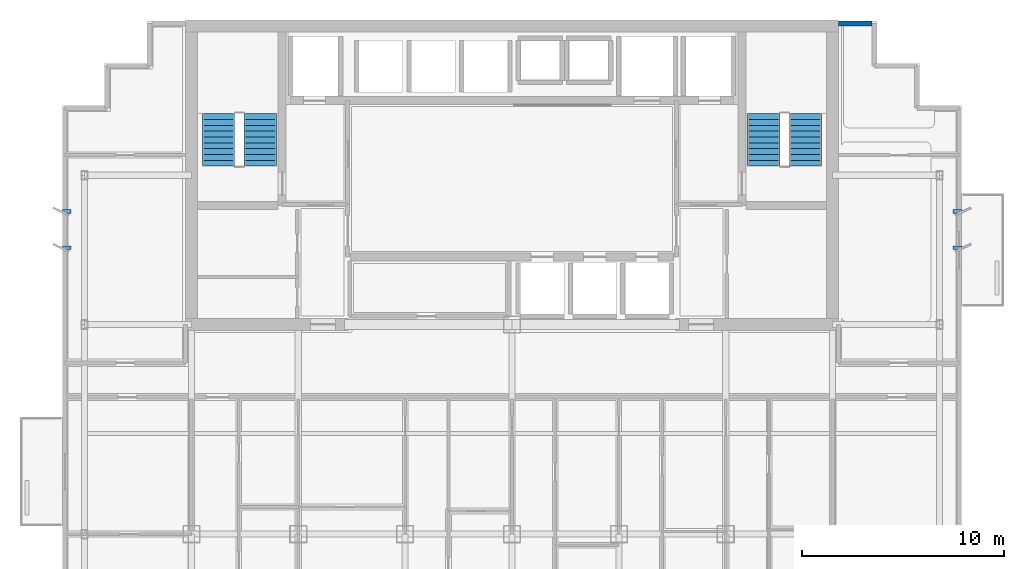
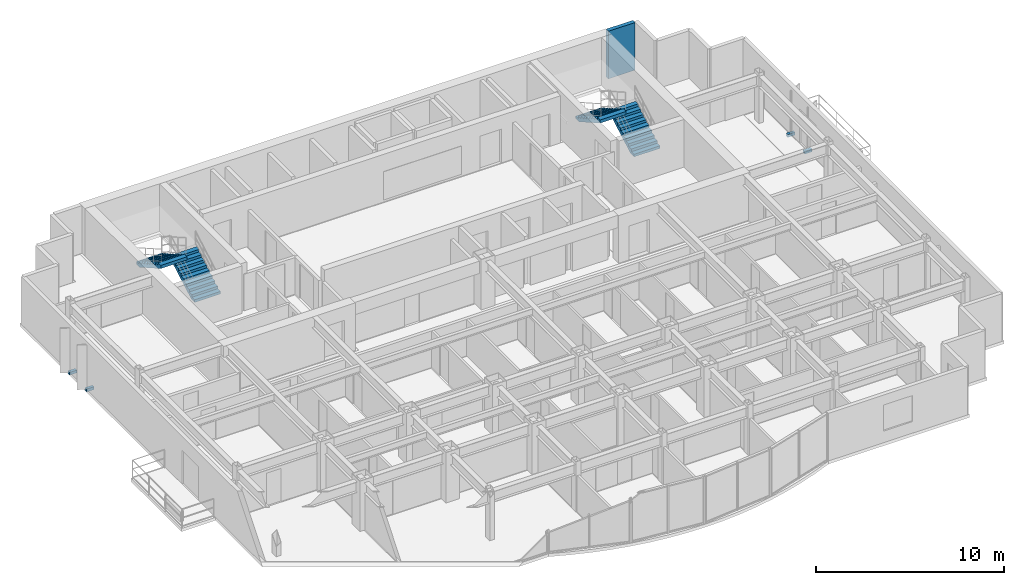
# One storey, part 9 of 11: 4 discrete accessories, 4 stair flights, 1 wall, 2 elements without a shape of their own.
"""IFC4 building model written with IfcOpenShell, lengths in metres."""

from ifc_helpers import new_model, si_unit, direction, frame, frame_2d, origin, origin_2d, place, context, subcontext, project, spatial, polyline, rectangle, outline, extrude, source, transform, mapped, material, layer, layer_set, type_object, element, aggregate, save


model = new_model("IFC4")

# Units and contexts
model_context = context("Model", 3, precision=1e-05, world=origin(), true_north=direction((0.0, 1.0)))
body_context = subcontext(model_context, "Body", "Model", "MODEL_VIEW")
ifc_project = project(units=[si_unit("LENGTHUNIT", "METRE"), si_unit("AREAUNIT", "SQUARE_METRE"), si_unit("VOLUMEUNIT", "CUBIC_METRE"), si_unit("PLANEANGLEUNIT", "RADIAN"), si_unit("MASSUNIT", "GRAM", prefix="KILO")], contexts=[model_context])

# Site, building, storey
site_placement = place(None, origin())
site = spatial("IfcSite", under=ifc_project, at=site_placement, CompositionType="ELEMENT")
building_placement = place(site_placement, origin())
building = spatial("IfcBuilding", under=site, at=building_placement, Name="Qianlan Lanfeng Residences", CompositionType="ELEMENT")
storey_placement = place(building_placement, frame((0.0, 0.0, 172.199951171875)))
storey = spatial("IfcBuildingStorey", under=building, at=storey_placement, Name="L47", CompositionType="ELEMENT", Elevation=172.199951171875)

# Wall
ifc_material_1 = material(Name="Concrete C42", Category="concrete")
ifc_layer = layer(ifc_material_1, 0.239990234375)
ifc_layer_set = layer_set([ifc_layer], Name="Concrete C42")
wall_type = type_object("IfcWallType", Name="EW-240", PredefinedType="SOLIDWALL", material=ifc_layer_set)
wall_placement = place(storey_placement, frame((44.35009765625, 40.1298828125, 0.0), z_axis=(0.0, 0.0, 1.0), x_axis=(-1.0, 0.0, 0.0)))
element("IfcWall", 1, at=wall_placement, inside=storey, type_object=wall_type, Name="L47 North Wing Exterior Wall E", PredefinedType="SOLIDWALL", context=body_context, shape_type="SweptSolid", body=[
    extrude(rectangle(XDim=1.650146484375, YDim=0.239990234375, at=frame_2d((0.8251953125, 0.0))), origin(), (0.0, 0.0, 1.0), 3.10009765625),
])

# Stair, stair flights
stair_type = type_object("IfcStairType", Name="STR-MAIN", PredefinedType="HALF_TURN_STAIR", material=ifc_material_1)
stair_1_placement = place(storey_placement, origin())
stair_1 = element("IfcStair", 2, at=stair_1_placement, inside=storey, type_object=stair_type, Name="L47 Exit Stair ST-1", PredefinedType="HALF_TURN_STAIR")
stair_flight_type = type_object("IfcStairFlightType", Name="FLT-1720", PredefinedType="STRAIGHT", material=ifc_material_1)
stair_flight_1_placement = place(storey_placement, frame((14.02001953125, 33.050048828125, 0.0), z_axis=(0.0, 0.0, 1.0), x_axis=(0.0, 1.0, 0.0)))
stair_flight_1 = element("IfcStairFlight", 3, at=stair_flight_1_placement, type_object=stair_flight_type, Name="ST-1 flight 1", NumberOfRisers=10, NumberOfTreads=9, PredefinedType="STRAIGHT", RiserHeight=0.165, TreadLength=0.29, context=body_context, shape_type="SweptSolid", body=[
    extrude(outline(polyline([(0.0, 0.0), (0.0, 0.1650390625), (0.2900390625, 0.1650390625), (0.2900390625, 0.330078125), (0.580078125, 0.330078125), (0.580078125, 0.4951171875), (0.8701171875, 0.4951171875), (0.8701171875, 0.659912109375), (1.159912109375, 0.659912109375), (1.159912109375, 0.824951171875), (1.449951171875, 0.824951171875), (1.449951171875, 0.989990234375), (1.739990234375, 0.989990234375), (1.739990234375, 1.155029296875), (2.030029296875, 1.155029296875), (2.030029296875, 1.320068359375), (2.320068359375, 1.320068359375), (2.320068359375, 1.485107421875), (2.610107421875, 1.485107421875), (2.610107421875, 1.64990234375), (2.610107421875, 1.278076171875), (0.36376953125, 0.0), (0.0, 0.0)])), frame((0.0, 0.800048828125, 0.0), z_axis=(0.0, -1.0, 0.0), x_axis=(1.0, 0.0, 0.0)), (0.0, 0.0, 1.0), 1.60009765625),
])
stair_flight_2_placement = place(storey_placement, frame((11.93994140625, 35.659912109375, 1.650146484375), z_axis=(0.0, 0.0, 1.0), x_axis=(0.0, -1.0, 0.0)))
stair_flight_2 = element("IfcStairFlight", 4, at=stair_flight_2_placement, type_object=stair_flight_type, Name="ST-1 flight 2", NumberOfRisers=10, NumberOfTreads=9, PredefinedType="STRAIGHT", RiserHeight=0.165, TreadLength=0.29, context=body_context, shape_type="SweptSolid", body=[
    extrude(outline(polyline([(0.0, 0.0), (0.0, 0.1650390625), (0.2900390625, 0.1650390625), (0.2900390625, 0.330078125), (0.580078125, 0.330078125), (0.580078125, 0.4951171875), (0.8701171875, 0.4951171875), (0.8701171875, 0.659912109375), (1.159912109375, 0.659912109375), (1.159912109375, 0.824951171875), (1.449951171875, 0.824951171875), (1.449951171875, 0.989990234375), (1.739990234375, 0.989990234375), (1.739990234375, 1.155029296875), (2.030029296875, 1.155029296875), (2.030029296875, 1.320068359375), (2.320068359375, 1.320068359375), (2.320068359375, 1.485107421875), (2.610107421875, 1.485107421875), (2.610107421875, 1.64990234375), (2.610107421875, 1.278076171875), (0.36376953125, 0.0), (0.0, 0.0)])), frame((0.0, 0.800048828125, 0.0), z_axis=(0.0, -1.0, 0.0), x_axis=(1.0, 0.0, 0.0)), (0.0, 0.0, 1.0), 1.60009765625),
])
aggregate(stair_1, [stair_flight_1, stair_flight_2])

stair_2_placement = place(storey_placement, origin())
stair_2 = element("IfcStair", 5, at=stair_2_placement, inside=storey, type_object=stair_type, Name="L47 Exit Stair ST-2", PredefinedType="HALF_TURN_STAIR")
stair_flight_3_placement = place(storey_placement, frame((41.06005859375, 33.050048828125, 0.0), z_axis=(0.0, 0.0, 1.0), x_axis=(0.0, 1.0, 0.0)))
stair_flight_3 = element("IfcStairFlight", 6, at=stair_flight_3_placement, type_object=stair_flight_type, Name="ST-2 flight 1", NumberOfRisers=10, NumberOfTreads=9, PredefinedType="STRAIGHT", RiserHeight=0.165, TreadLength=0.29, context=body_context, shape_type="SweptSolid", body=[
    extrude(outline(polyline([(0.0, 0.0), (0.0, 0.1650390625), (0.2900390625, 0.1650390625), (0.2900390625, 0.330078125), (0.580078125, 0.330078125), (0.580078125, 0.4951171875), (0.8701171875, 0.4951171875), (0.8701171875, 0.659912109375), (1.159912109375, 0.659912109375), (1.159912109375, 0.824951171875), (1.449951171875, 0.824951171875), (1.449951171875, 0.989990234375), (1.739990234375, 0.989990234375), (1.739990234375, 1.155029296875), (2.030029296875, 1.155029296875), (2.030029296875, 1.320068359375), (2.320068359375, 1.320068359375), (2.320068359375, 1.485107421875), (2.610107421875, 1.485107421875), (2.610107421875, 1.64990234375), (2.610107421875, 1.278076171875), (0.36376953125, 0.0), (0.0, 0.0)])), frame((0.0, 0.800048828125, 0.0), z_axis=(0.0, -1.0, 0.0), x_axis=(1.0, 0.0, 0.0)), (0.0, 0.0, 1.0), 1.60009765625),
])
stair_flight_4_placement = place(storey_placement, frame((38.97998046875, 35.659912109375, 1.650146484375), z_axis=(0.0, 0.0, 1.0), x_axis=(0.0, -1.0, 0.0)))
stair_flight_4 = element("IfcStairFlight", 7, at=stair_flight_4_placement, type_object=stair_flight_type, Name="ST-2 flight 2", NumberOfRisers=10, NumberOfTreads=9, PredefinedType="STRAIGHT", RiserHeight=0.165, TreadLength=0.29, context=body_context, shape_type="SweptSolid", body=[
    extrude(outline(polyline([(0.0, 0.0), (0.0, 0.1650390625), (0.2900390625, 0.1650390625), (0.2900390625, 0.330078125), (0.580078125, 0.330078125), (0.580078125, 0.4951171875), (0.8701171875, 0.4951171875), (0.8701171875, 0.659912109375), (1.159912109375, 0.659912109375), (1.159912109375, 0.824951171875), (1.449951171875, 0.824951171875), (1.449951171875, 0.989990234375), (1.739990234375, 0.989990234375), (1.739990234375, 1.155029296875), (2.030029296875, 1.155029296875), (2.030029296875, 1.320068359375), (2.320068359375, 1.320068359375), (2.320068359375, 1.485107421875), (2.610107421875, 1.485107421875), (2.610107421875, 1.64990234375), (2.610107421875, 1.278076171875), (0.36376953125, 0.0), (0.0, 0.0)])), frame((0.0, 0.800048828125, 0.0), z_axis=(0.0, -1.0, 0.0), x_axis=(1.0, 0.0, 0.0)), (0.0, 0.0, 1.0), 1.60009765625),
])
aggregate(stair_2, [stair_flight_3, stair_flight_4])

# Discrete accessories
ifc_material_2 = material(Name="Stainless Steel Facade Bracket", Category="steel")
discrete_accessory_type = type_object("IfcDiscreteAccessoryType", Name="BRK-SS-350", PredefinedType="BRACKET", material=ifc_material_2)
shared_shape = source(origin(), body_context, "Body", "SweptSolid", [
    extrude(rectangle(XDim=0.449951171875, YDim=0.179931640625, at=origin_2d()), origin(), (0.0, 0.0, 1.0), 0.179931640625),
])
for number, where, z_axis, x_axis, name in (
    (8, (4.39990234375, 29.0, -0.14990234375), (0.0, 0.0, 1.0), (1.0, 0.0, 0.0), "L47 Raked Solar Fin Support Bracket W1"),
    (9, (4.39990234375, 30.800048828125, -0.14990234375), (0.0, 0.0, 1.0), (1.0, 0.0, 0.0), "L47 Raked Solar Fin Support Bracket W2"),
    (10, (48.60009765625, 29.0, -0.14990234375), (0.0, 0.0, 1.0), (1.0, 0.0, 0.0), "L47 Raked Solar Fin Support Bracket E1"),
    (11, (48.60009765625, 30.800048828125, -0.14990234375), (0.0, 0.0, 1.0), (1.0, 0.0, 0.0), "L47 Raked Solar Fin Support Bracket E2"),
):
    element("IfcDiscreteAccessory", number, at=place(storey_placement, frame(where, z_axis=z_axis, x_axis=x_axis)), inside=storey, type_object=discrete_accessory_type, Name=name, PredefinedType="BRACKET", context=body_context, shape_type="MappedRepresentation", body=[
        mapped(shared_shape, transform((0.0, 0.0, 0.0), scale=1.0)),
    ])

save(model, "model.ifc")
